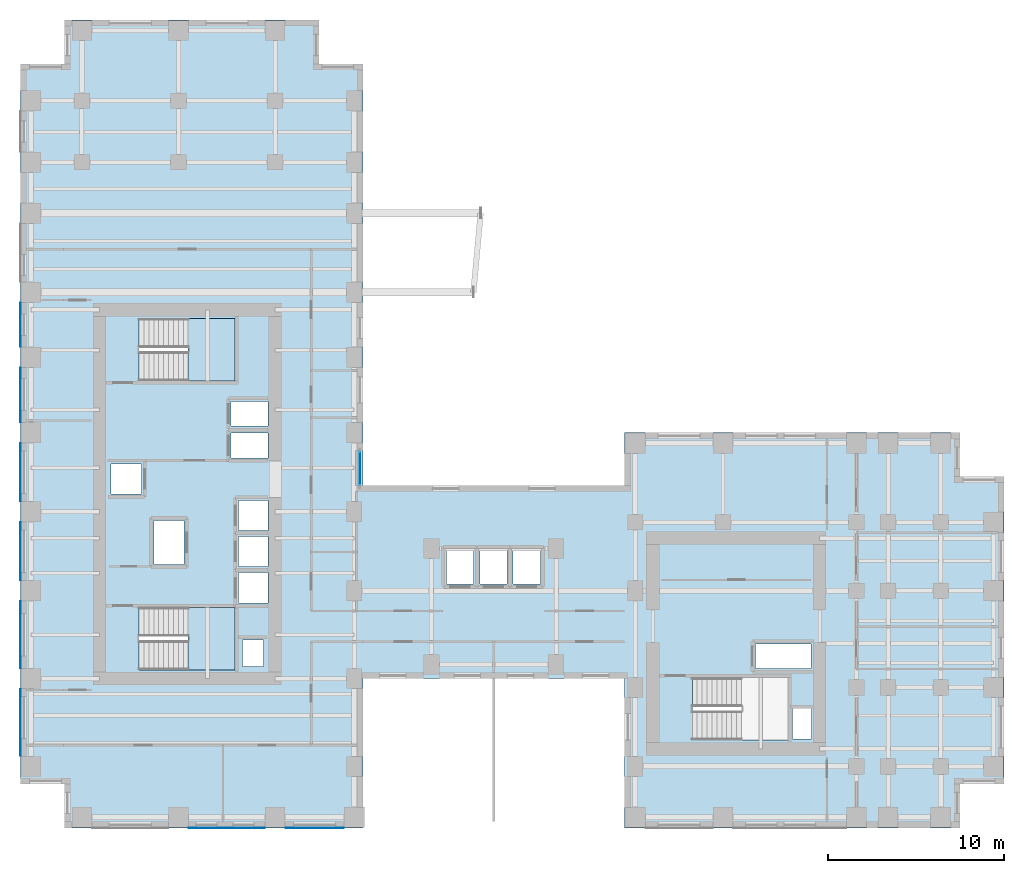
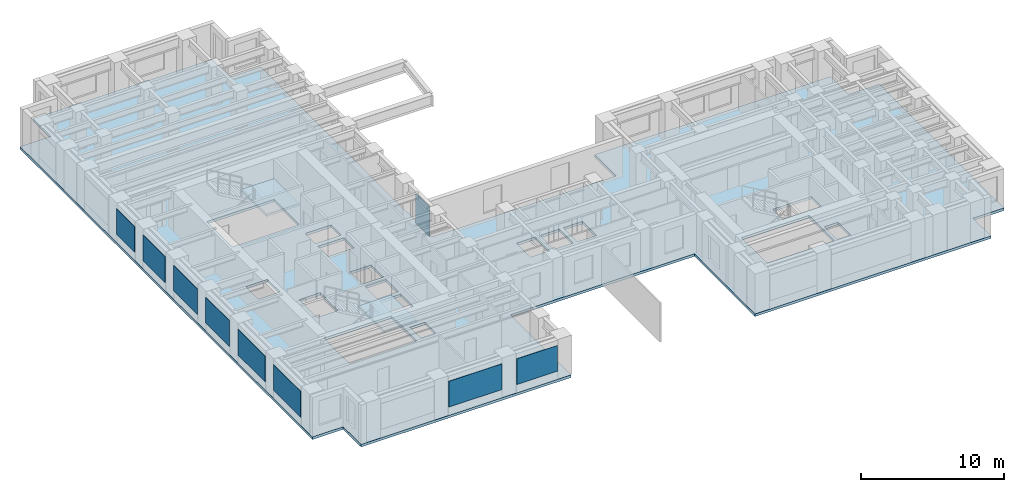
# One storey, part 4 of 14: 9 plates, 3 slabs, 3 elements without a shape of their own.
"""IFC4 building model written with IfcOpenShell, lengths in metres."""

from ifc_helpers import new_model, si_unit, direction, frame, origin, origin_2d, place, context, subcontext, project, spatial, polyline, rectangle, outline, extrude, source, transform, mapped, material, layer, layer_set, type_object, element, aggregate, save


model = new_model("IFC4")

# Units and contexts
model_context = context("Model", 3, precision=1e-05, world=origin(), true_north=direction((0.0, 1.0)))
body_context = subcontext(model_context, "Body", "Model", "MODEL_VIEW")
ifc_project = project(units=[si_unit("LENGTHUNIT", "METRE"), si_unit("AREAUNIT", "SQUARE_METRE"), si_unit("VOLUMEUNIT", "CUBIC_METRE"), si_unit("PLANEANGLEUNIT", "RADIAN"), si_unit("MASSUNIT", "GRAM", prefix="KILO")], contexts=[model_context])

# Site, building, storey
site_placement = place(None, origin())
site = spatial("IfcSite", under=ifc_project, at=site_placement, CompositionType="ELEMENT")
building_placement = place(site_placement, origin())
building = spatial("IfcBuilding", under=site, at=building_placement, Name="Kharzan Plaza Tower", CompositionType="ELEMENT")
storey_placement = place(building_placement, frame((0.0, 0.0, 124.199951171875)))
storey = spatial("IfcBuildingStorey", under=building, at=storey_placement, Name="L33", CompositionType="ELEMENT", Elevation=124.199951171875)

# Slab
ifc_material_1 = material(Name="Concrete C40/50", Category="concrete")
ifc_layer_1 = layer(ifc_material_1, 0.219970703125)
ifc_layer_set_1 = layer_set([ifc_layer_1], Name="Concrete C40/50")
slab_type_1 = type_object("IfcSlabType", Name="SL-FLOOR-220", PredefinedType="FLOOR", material=ifc_layer_set_1)
slab_1_placement = place(storey_placement, frame((0.0, 0.0, -0.219970703125)))
element("IfcSlab", 1, at=slab_1_placement, inside=storey, type_object=slab_type_1, Name="L33 Composite Structural Floor Slab 220 mm", PredefinedType="FLOOR", context=body_context, shape_type="SweptSolid", body=[
    extrude(outline(polyline([(34.39990234375, 19.5), (19.5, 19.5), (19.5, 43.5), (17.0, 43.5), (17.0, 46.0), (2.5, 46.0), (2.5, 43.5), (0.0, 43.5), (0.0, 2.5), (2.5, 2.5), (2.5, 0.0), (19.5, 0.0), (19.5, 8.5), (34.39990234375, 8.5), (34.39990234375, 0.0), (53.5, 0.0), (53.5, 2.5), (56.0, 2.5), (56.0, 20.0), (53.5, 20.0), (53.5, 22.5), (34.39990234375, 22.5), (34.39990234375, 19.5)]), holes=[polyline([(12.199951171875, 9.0), (12.199951171875, 12.550048828125), (6.75, 12.550048828125), (6.75, 9.0), (12.199951171875, 9.0)]), polyline([(14.10009765625, 12.800048828125), (14.10009765625, 14.530029296875), (12.39990234375, 14.530029296875), (12.39990234375, 12.800048828125), (14.10009765625, 12.800048828125)]), polyline([(14.10009765625, 14.8701171875), (14.10009765625, 16.60009765625), (12.39990234375, 16.60009765625), (12.39990234375, 14.8701171875), (14.10009765625, 14.8701171875)]), polyline([(9.300048828125, 15.0), (9.300048828125, 17.5), (7.60009765625, 17.5), (7.60009765625, 15.0), (9.300048828125, 15.0)]), polyline([(6.89990234375, 19.010009765625), (6.89990234375, 20.72998046875), (5.14990234375, 20.72998046875), (5.14990234375, 19.010009765625), (6.89990234375, 19.010009765625)]), polyline([(14.10009765625, 21.070068359375), (14.10009765625, 22.489990234375), (12.0, 22.489990234375), (12.0, 21.070068359375), (14.10009765625, 21.070068359375)]), polyline([(14.10009765625, 22.8701171875), (14.10009765625, 24.2900390625), (12.0, 24.2900390625), (12.0, 22.8701171875), (14.10009765625, 22.8701171875)]), polyline([(12.199951171875, 25.449951171875), (12.199951171875, 29.0), (6.75, 29.0), (6.75, 25.449951171875), (12.199951171875, 25.449951171875)]), polyline([(45.050048828125, 5.050048828125), (45.050048828125, 6.800048828125), (43.949951171875, 6.800048828125), (43.949951171875, 5.050048828125), (45.050048828125, 5.050048828125)]), polyline([(43.699951171875, 5.0), (43.699951171875, 8.550048828125), (38.25, 8.550048828125), (38.25, 5.0), (43.699951171875, 5.0)]), polyline([(45.0, 9.070068359375), (45.0, 10.469970703125), (41.85009765625, 10.469970703125), (41.85009765625, 9.070068359375), (45.0, 9.070068359375)]), polyline([(13.85009765625, 9.199951171875), (13.85009765625, 10.699951171875), (12.64990234375, 10.699951171875), (12.64990234375, 9.199951171875), (13.85009765625, 9.199951171875)]), polyline([(25.800048828125, 13.89990234375), (25.800048828125, 15.85009765625), (24.25, 15.85009765625), (24.25, 13.89990234375), (25.800048828125, 13.89990234375)]), polyline([(27.699951171875, 13.89990234375), (27.699951171875, 15.85009765625), (26.14990234375, 15.85009765625), (26.14990234375, 13.89990234375), (27.699951171875, 13.89990234375)]), polyline([(29.60009765625, 13.89990234375), (29.60009765625, 15.85009765625), (28.050048828125, 15.85009765625), (28.050048828125, 13.89990234375), (29.60009765625, 13.89990234375)]), polyline([(14.10009765625, 16.93994140625), (14.10009765625, 18.64990234375), (12.39990234375, 18.64990234375), (12.39990234375, 16.93994140625), (14.10009765625, 16.93994140625)])]), origin(), (0.0, 0.0, 1.0), 0.219970703125),
])

# Stair, slab
stair_type_1 = type_object("IfcStairType", Name="STR-ST-1", PredefinedType="HALF_TURN_STAIR", material=ifc_material_1)
stair_1_placement = place(storey_placement, origin())
stair_1 = element("IfcStair", 2, at=stair_1_placement, inside=storey, type_object=stair_type_1, Name="L33 Protected Exit Stair ST-1", PredefinedType="HALF_TURN_STAIR")
ifc_layer_2 = layer(ifc_material_1, 0.219970703125)
ifc_layer_set_2 = layer_set([ifc_layer_2], Name="Concrete C40/50")
slab_type_2 = type_object("IfcSlabType", Name="SL-LANDING-220", PredefinedType="LANDING", material=ifc_layer_set_2)
slab_2_placement = place(storey_placement, frame((0.0, 0.0, 1.60009765625)))
slab_2 = element("IfcSlab", 3, at=slab_2_placement, type_object=slab_type_2, Name="ST-1 landing 1", PredefinedType="LANDING", context=body_context, shape_type="SweptSolid", body=[
    extrude(outline(polyline([(9.550048828125, 9.0), (12.199951171875, 9.0), (12.199951171875, 12.550048828125), (9.550048828125, 12.550048828125), (9.550048828125, 9.0)])), origin(), (0.0, 0.0, 1.0), 0.199951171875),
])
aggregate(stair_1, [slab_2])

stair_type_2 = type_object("IfcStairType", Name="STR-ST-2", PredefinedType="HALF_TURN_STAIR", material=ifc_material_1)
stair_2_placement = place(storey_placement, origin())
stair_2 = element("IfcStair", 4, at=stair_2_placement, inside=storey, type_object=stair_type_2, Name="L33 Protected Exit Stair ST-2", PredefinedType="HALF_TURN_STAIR")
slab_3_placement = place(storey_placement, frame((0.0, 0.0, 1.60009765625)))
slab_3 = element("IfcSlab", 5, at=slab_3_placement, type_object=slab_type_2, Name="ST-2 landing 1", PredefinedType="LANDING", context=body_context, shape_type="SweptSolid", body=[
    extrude(outline(polyline([(9.550048828125, 25.449951171875), (12.199951171875, 25.449951171875), (12.199951171875, 29.0), (9.550048828125, 29.0), (9.550048828125, 25.449951171875)])), origin(), (0.0, 0.0, 1.0), 0.199951171875),
])
aggregate(stair_2, [slab_3])

# Curtain wall, plate
ifc_material_2 = material(Name="Unitised Bronze-Anodized Aluminium and Low-E Glass", Category="aluminium")
ifc_layer_3 = layer(ifc_material_2, 0.199951171875)
ifc_layer_set_3 = layer_set([ifc_layer_3], Name="Unitised Bronze-Anodized Aluminium and Low-E Glass")
curtain_wall_type = type_object("IfcCurtainWallType", Name="CW-SLOT-3", PredefinedType="NOTDEFINED", material=ifc_layer_set_3)
curtain_wall_placement = place(storey_placement, origin())
curtain_wall = element("IfcCurtainWall", 6, at=curtain_wall_placement, inside=storey, type_object=curtain_wall_type, Name="L33 West Slot Recessed Spine Curtain Wall", PredefinedType="NOTDEFINED")
ifc_material_3 = material(Name="Dark Solar-Control Double Glazing", Category="glass")
ifc_layer_4 = layer(ifc_material_3, 0.031982421875)
ifc_layer_set_4 = layer_set([ifc_layer_4], Name="Dark Solar-Control Double Glazing")
plate_type_1 = type_object("IfcPlateType", Name="PLT-CW-GLASS", PredefinedType="CURTAIN_PANEL", material=ifc_layer_set_4)
shared_shape_1 = source(origin(), body_context, "Body", "SweptSolid", [
    extrude(rectangle(XDim=1.929931640625, YDim=0.031982421875, at=origin_2d()), origin(), (0.0, 0.0, 1.0), 2.5400390625),
])
plate_1_placement = place(storey_placement, frame((19.320068359375, 20.47509765625, 0.080078125), z_axis=(0.0, 0.0, 1.0), x_axis=(0.0, 1.0, 0.0)))
plate_1 = element("IfcPlate", 7, at=plate_1_placement, type_object=plate_type_1, Name="L33 Curtain-Wall Glazed Panel 00", PredefinedType="CURTAIN_PANEL", context=body_context, shape_type="MappedRepresentation", body=[
    mapped(shared_shape_1, transform((0.0, 0.0, 0.0), x_axis=(1.0, 0.0, 0.0), y_axis=(0.0, 1.0, 0.0), z_axis=(0.0, 0.0, 1.0))),
])
aggregate(curtain_wall, [plate_1])

# Plates
ifc_material_4 = material(Name="Perforated Bronze-Anodized Aluminium", Category="aluminium")
ifc_layer_5 = layer(ifc_material_4, 0.030029296875)
ifc_layer_set_5 = layer_set([ifc_layer_5], Name="Perforated Bronze-Anodized Aluminium")
plate_type_2 = type_object("IfcPlateType", Name="PLT-MASH-SCREEN", PredefinedType="SHEET", material=ifc_layer_set_5)
shared_shape_2 = source(origin(), body_context, "Body", "SweptSolid", [
    extrude(rectangle(XDim=3.31396484375, YDim=0.030029296875, at=origin_2d()), origin(), (0.0, 0.0, 1.0), 2.199951171875),
])
for number, where, z_axis, x_axis, name in (
    (8, (-0.012939453125, 20.25, 0.72998046875), (0.0, 0.0, 1.0), (0.0, -1.0, 0.0), "L33 Perforated Mashrabiya Solar Screen"),
    (9, (-0.012939453125, 15.75, 0.72998046875), (0.0, 0.0, 1.0), (0.0, -1.0, 0.0), "L33 Perforated Mashrabiya Solar Screen"),
    (10, (16.75, -0.012939453125, 0.72998046875), (0.0, 0.0, 1.0), (1.0, 0.0, 0.0), "L33 Perforated Mashrabiya Solar Screen"),
):
    element("IfcPlate", number, at=place(storey_placement, frame(where, z_axis=z_axis, x_axis=x_axis)), inside=storey, type_object=plate_type_2, Name=name, PredefinedType="SHEET", context=body_context, shape_type="MappedRepresentation", body=[
        mapped(shared_shape_2, transform((0.0, 0.0, 0.0), x_axis=(1.0, 0.0, 0.0), y_axis=(0.0, 1.0, 0.0), z_axis=(0.0, 0.0, 1.0))),
    ])
shared_shape_3 = source(origin(), body_context, "Body", "SweptSolid", [
    extrude(rectangle(XDim=2.513916015625, YDim=0.030029296875, at=origin_2d()), origin(), (0.0, 0.0, 1.0), 2.199951171875),
])
plate_2_placement = place(storey_placement, frame((-0.012939453125, 28.64990234375, 0.72998046875), z_axis=(0.0, 0.0, 1.0), x_axis=(0.0, -1.0, 0.0)))
element("IfcPlate", 11, at=plate_2_placement, inside=storey, type_object=plate_type_2, Name="L33 Perforated Mashrabiya Solar Screen", PredefinedType="SHEET", context=body_context, shape_type="MappedRepresentation", body=[
    mapped(shared_shape_3, transform((0.0, 0.0, 0.0), x_axis=(1.0, 0.0, 0.0), y_axis=(0.0, 1.0, 0.0), z_axis=(0.0, 0.0, 1.0))),
])
shared_shape_4 = source(origin(), body_context, "Body", "SweptSolid", [
    extrude(rectangle(XDim=3.81396484375, YDim=0.030029296875, at=origin_2d()), origin(), (0.0, 0.0, 1.0), 2.199951171875),
])
for number, where, z_axis, x_axis, name in (
    (12, (-0.012939453125, 11.0, 0.72998046875), (0.0, 0.0, 1.0), (0.0, -1.0, 0.0), "L33 Perforated Mashrabiya Solar Screen"),
    (13, (-0.012939453125, 6.0, 0.72998046875), (0.0, 0.0, 1.0), (0.0, -1.0, 0.0), "L33 Perforated Mashrabiya Solar Screen"),
):
    element("IfcPlate", number, at=place(storey_placement, frame(where, z_axis=z_axis, x_axis=x_axis)), inside=storey, type_object=plate_type_2, Name=name, PredefinedType="SHEET", context=body_context, shape_type="MappedRepresentation", body=[
        mapped(shared_shape_4, transform((0.0, 0.0, 0.0), x_axis=(1.0, 0.0, 0.0), y_axis=(0.0, 1.0, 0.0), z_axis=(0.0, 0.0, 1.0))),
    ])
shared_shape_5 = source(origin(), body_context, "Body", "SweptSolid", [
    extrude(rectangle(XDim=4.31396484375, YDim=0.030029296875, at=origin_2d()), origin(), (0.0, 0.0, 1.0), 2.199951171875),
])
plate_3_placement = place(storey_placement, frame((11.75, -0.012939453125, 0.72998046875), z_axis=(0.0, 0.0, 1.0), x_axis=(1.0, 0.0, 0.0)))
element("IfcPlate", 14, at=plate_3_placement, inside=storey, type_object=plate_type_2, Name="L33 Perforated Mashrabiya Solar Screen", PredefinedType="SHEET", context=body_context, shape_type="MappedRepresentation", body=[
    mapped(shared_shape_5, transform((0.0, 0.0, 0.0), x_axis=(1.0, 0.0, 0.0), y_axis=(0.0, 1.0, 0.0), z_axis=(0.0, 0.0, 1.0))),
])
shared_shape_6 = source(origin(), body_context, "Body", "SweptSolid", [
    extrude(rectangle(XDim=3.114013671875, YDim=0.030029296875, at=origin_2d()), origin(), (0.0, 0.0, 1.0), 2.199951171875),
])
plate_4_placement = place(storey_placement, frame((-0.012939453125, 24.64990234375, 0.72998046875), z_axis=(0.0, 0.0, 1.0), x_axis=(0.0, -1.0, 0.0)))
element("IfcPlate", 15, at=plate_4_placement, inside=storey, type_object=plate_type_2, Name="L33 Perforated Mashrabiya Solar Screen", PredefinedType="SHEET", context=body_context, shape_type="MappedRepresentation", body=[
    mapped(shared_shape_6, transform((0.0, 0.0, 0.0), x_axis=(1.0, 0.0, 0.0), y_axis=(0.0, 1.0, 0.0), z_axis=(0.0, 0.0, 1.0))),
])

save(model, "model.ifc")
